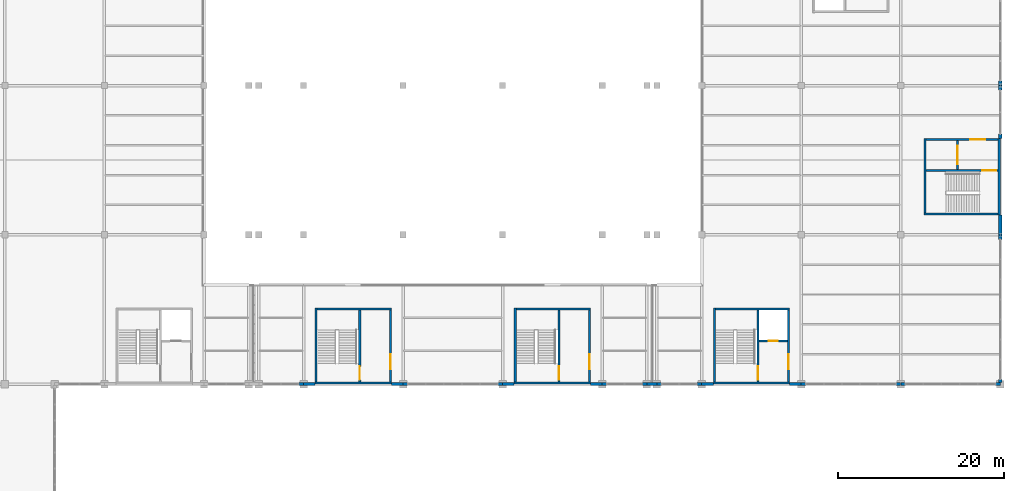
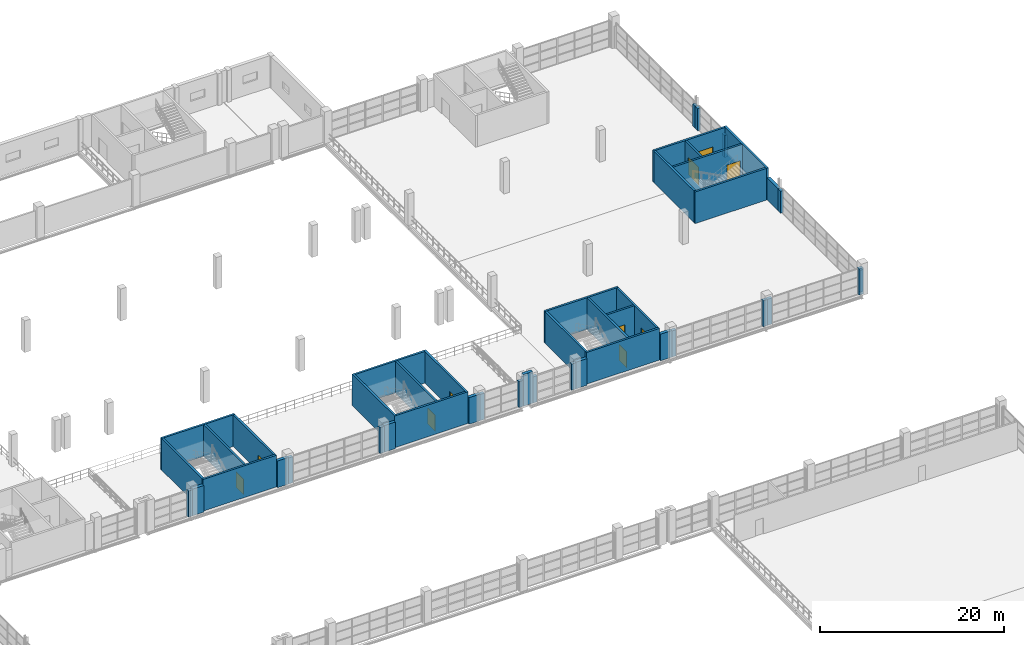
# One storey, part 147 of 158: 46 walls, 10 doors, 10 openings.
"""IFC4 building model written with IfcOpenShell, lengths in metres."""

from ifc_helpers import new_model, si_unit, direction, frame, frame_2d, origin, place, context, subcontext, project, spatial, rectangle, extrude, material, layer, layer_set, type_object, element, fill, save


model = new_model("IFC4")

# Units and contexts
model_context = context("Model", 3, precision=1e-05, world=origin(), true_north=direction((0.0, 1.0)))
body_context = subcontext(model_context, "Body", "Model", "MODEL_VIEW")
ifc_project = project(units=[si_unit("LENGTHUNIT", "METRE"), si_unit("AREAUNIT", "SQUARE_METRE"), si_unit("VOLUMEUNIT", "CUBIC_METRE"), si_unit("PLANEANGLEUNIT", "RADIAN"), si_unit("MASSUNIT", "GRAM", prefix="KILO")], contexts=[model_context])

# Site, building, storey
site_placement = place(None, origin())
site = spatial("IfcSite", under=ifc_project, at=site_placement, CompositionType="ELEMENT")
building_placement = place(site_placement, origin())
building = spatial("IfcBuilding", under=site, at=building_placement, Name="Zilviju Railside Exhibition Hall", CompositionType="ELEMENT")
storey_placement = place(building_placement, frame((0.0, 0.0, 4.199951171875)))
storey = spatial("IfcBuildingStorey", under=building, at=storey_placement, Name="L02", CompositionType="ELEMENT", Elevation=4.199951171875)

# Walls
ifc_material_1 = material(Name="Concrete C35/45", Category="concrete")
ifc_layer_1 = layer(ifc_material_1, 0.25)
ifc_layer_set_1 = layer_set([ifc_layer_1], Name="Concrete C35/45")
wall_type_1 = type_object("IfcWallType", Name="WL-CORE-250", PredefinedType="SHEAR", material=ifc_layer_set_1)
wall_1_placement = place(storey_placement, frame((133.52490234375, 84.0, 0.0), z_axis=(0.0, 0.0, 1.0), x_axis=(0.0, 1.0, 0.0)))
element("IfcWall", 1, at=wall_1_placement, inside=storey, type_object=wall_type_1, Name="Core C05 North Hall Court MidW Stairwell Outer Wall L02", PredefinedType="SHEAR", context=body_context, shape_type="SweptSolid", body=[
    extrude(rectangle(XDim=9.199951171875, YDim=0.25, at=frame_2d((4.60009765625, 0.0))), origin(), (0.0, 0.0, 1.0), 4.199951171875),
])
wall_2_placement = place(storey_placement, frame((133.39990234375, 93.074951171875, 0.0), z_axis=(0.0, 0.0, 1.0), x_axis=(1.0, 0.0, 0.0)))
element("IfcWall", 2, at=wall_2_placement, inside=storey, type_object=wall_type_1, Name="Core C05 North Hall Court MidW Core Rear Wall L02", PredefinedType="SHEAR", context=body_context, shape_type="SweptSolid", body=[
    extrude(rectangle(XDim=9.2001953125, YDim=0.25, at=frame_2d((4.60009765625, 0.0))), origin(), (0.0, 0.0, 1.0), 4.199951171875),
])

# Wall, opening, door
wall_3_placement = place(storey_placement, frame((142.47509765625, 84.0, 0.0), z_axis=(0.0, 0.0, 1.0), x_axis=(0.0, 1.0, 0.0)))
wall_3 = element("IfcWall", 3, at=wall_3_placement, inside=storey, type_object=wall_type_1, Name="Core C05 North Hall Court MidW Lobby Side Wall L02", PredefinedType="SHEAR", context=body_context, shape_type="SweptSolid", body=[
    extrude(rectangle(XDim=9.199951171875, YDim=0.25, at=frame_2d((4.60009765625, 0.0))), origin(), (0.0, 0.0, 1.0), 4.199951171875),
])
opening_1_placement = place(wall_3_placement, frame((1.800048828125, 0.0, 0.0)))
opening_1 = element("IfcOpeningElement", 4, at=opening_1_placement, cuts=wall_3, Name="Opening FD-02", PredefinedType="OPENING", context=body_context, shape_type="SweptSolid", body=[
    extrude(rectangle(XDim=1.800048828125, YDim=2.14990234375, at=frame_2d((0.89990234375, 1.074951171875))), frame((0.0, 0.135009765625, 0.0), z_axis=(0.0, -1.0, 0.0), x_axis=(1.0, 0.0, 0.0)), (0.0, 0.0, 1.0), 0.27001953125),
])
ifc_material_2 = material(Name="Self-closing glazed steel core lobby fire door EI 60", Category="steel")
door_type_1 = type_object("IfcDoorType", Name="DR-LOBBY-180x215", OperationType="NOTDEFINED", PredefinedType="DOOR", material=ifc_material_2)
door_1_placement = place(opening_1_placement, origin())
door_1 = element("IfcDoor", 5, at=door_1_placement, inside=storey, type_object=door_type_1, Name="Core C05 North Hall Court MidW Lobby Fire Door L02", OperationType="DOUBLE_DOOR_SINGLE_SWING", OverallHeight=2.14990234375, OverallWidth=1.800048828125, PredefinedType="DOOR", context=body_context, shape_type="SweptSolid", body=[
    extrude(rectangle(XDim=1.800048828125, YDim=2.14990234375, at=frame_2d((0.89990234375, 1.074951171875))), frame((0.0, 0.02490234375, 0.0), z_axis=(0.0, -1.0, 0.0), x_axis=(1.0, 0.0, 0.0)), (0.0, 0.0, 1.0), 0.050048828125),
])
fill(opening_1, door_1)

wall_4_placement = place(storey_placement, frame((138.77490234375, 84.25, 0.0), z_axis=(0.0, 0.0, 1.0), x_axis=(0.0, 1.0, 0.0)))
wall_4 = element("IfcWall", 6, at=wall_4_placement, inside=storey, type_object=wall_type_1, Name="Core C05 North Hall Court MidW Stairwell Partition Wall L02", PredefinedType="SHEAR", context=body_context, shape_type="SweptSolid", body=[
    extrude(rectangle(XDim=8.699951171875, YDim=0.25, at=frame_2d((4.35009765625, 0.0))), origin(), (0.0, 0.0, 1.0), 4.199951171875),
])
opening_2_placement = place(wall_4_placement, frame((0.25, 0.0, 0.0)))
opening_2 = element("IfcOpeningElement", 7, at=opening_2_placement, cuts=wall_4, Name="Opening FD-01", PredefinedType="OPENING", context=body_context, shape_type="SweptSolid", body=[
    extrude(rectangle(XDim=1.64990234375, YDim=2.10009765625, at=frame_2d((0.824951171875, 1.050048828125))), frame((0.0, 0.135009765625, 0.0), z_axis=(0.0, -1.0, 0.0), x_axis=(1.0, 0.0, 0.0)), (0.0, 0.0, 1.0), 0.27001953125),
])
ifc_material_3 = material(Name="Self-closing steel stair enclosure fire door EI 60", Category="steel")
door_type_2 = type_object("IfcDoorType", Name="DR-STAIR-165x210", OperationType="NOTDEFINED", PredefinedType="DOOR", material=ifc_material_3)
door_2_placement = place(opening_2_placement, origin())
door_2 = element("IfcDoor", 8, at=door_2_placement, inside=storey, type_object=door_type_2, Name="Core C05 North Hall Court MidW Protected Stair Door L02", OperationType="SINGLE_SWING_RIGHT", OverallHeight=2.10009765625, OverallWidth=1.64990234375, PredefinedType="DOOR", context=body_context, shape_type="SweptSolid", body=[
    extrude(rectangle(XDim=1.64990234375, YDim=2.10009765625, at=frame_2d((0.824951171875, 1.050048828125))), frame((0.0, 0.02490234375, 0.0), z_axis=(0.0, -1.0, 0.0), x_axis=(1.0, 0.0, 0.0)), (0.0, 0.0, 1.0), 0.050048828125),
])
fill(opening_2, door_2)

# Walls
wall_5_placement = place(storey_placement, frame((157.52490234375, 84.0, 0.0), z_axis=(0.0, 0.0, 1.0), x_axis=(0.0, 1.0, 0.0)))
element("IfcWall", 9, at=wall_5_placement, inside=storey, type_object=wall_type_1, Name="Core C06 North Hall Court MidE Stairwell Outer Wall L02", PredefinedType="SHEAR", context=body_context, shape_type="SweptSolid", body=[
    extrude(rectangle(XDim=9.199951171875, YDim=0.25, at=frame_2d((4.60009765625, 0.0))), origin(), (0.0, 0.0, 1.0), 4.199951171875),
])
wall_6_placement = place(storey_placement, frame((157.39990234375, 93.074951171875, 0.0), z_axis=(0.0, 0.0, 1.0), x_axis=(1.0, 0.0, 0.0)))
element("IfcWall", 10, at=wall_6_placement, inside=storey, type_object=wall_type_1, Name="Core C06 North Hall Court MidE Core Rear Wall L02", PredefinedType="SHEAR", context=body_context, shape_type="SweptSolid", body=[
    extrude(rectangle(XDim=9.2001953125, YDim=0.25, at=frame_2d((4.60009765625, 0.0))), origin(), (0.0, 0.0, 1.0), 4.199951171875),
])

# Wall, opening, door
wall_7_placement = place(storey_placement, frame((166.47509765625, 84.0, 0.0), z_axis=(0.0, 0.0, 1.0), x_axis=(0.0, 1.0, 0.0)))
wall_7 = element("IfcWall", 11, at=wall_7_placement, inside=storey, type_object=wall_type_1, Name="Core C06 North Hall Court MidE Lobby Side Wall L02", PredefinedType="SHEAR", context=body_context, shape_type="SweptSolid", body=[
    extrude(rectangle(XDim=9.199951171875, YDim=0.25, at=frame_2d((4.60009765625, 0.0))), origin(), (0.0, 0.0, 1.0), 4.199951171875),
])
opening_3_placement = place(wall_7_placement, frame((1.800048828125, 0.0, 0.0)))
opening_3 = element("IfcOpeningElement", 12, at=opening_3_placement, cuts=wall_7, Name="Opening FD-02", PredefinedType="OPENING", context=body_context, shape_type="SweptSolid", body=[
    extrude(rectangle(XDim=1.800048828125, YDim=2.14990234375, at=frame_2d((0.89990234375, 1.074951171875))), frame((0.0, 0.135009765625, 0.0), z_axis=(0.0, -1.0, 0.0), x_axis=(1.0, 0.0, 0.0)), (0.0, 0.0, 1.0), 0.27001953125),
])
door_3_placement = place(opening_3_placement, origin())
door_3 = element("IfcDoor", 13, at=door_3_placement, inside=storey, type_object=door_type_1, Name="Core C06 North Hall Court MidE Lobby Fire Door L02", OperationType="DOUBLE_DOOR_SINGLE_SWING", OverallHeight=2.14990234375, OverallWidth=1.800048828125, PredefinedType="DOOR", context=body_context, shape_type="SweptSolid", body=[
    extrude(rectangle(XDim=1.800048828125, YDim=2.14990234375, at=frame_2d((0.89990234375, 1.074951171875))), frame((0.0, 0.02490234375, 0.0), z_axis=(0.0, -1.0, 0.0), x_axis=(1.0, 0.0, 0.0)), (0.0, 0.0, 1.0), 0.050048828125),
])
fill(opening_3, door_3)

wall_8_placement = place(storey_placement, frame((162.77490234375, 84.25, 0.0), z_axis=(0.0, 0.0, 1.0), x_axis=(0.0, 1.0, 0.0)))
wall_8 = element("IfcWall", 14, at=wall_8_placement, inside=storey, type_object=wall_type_1, Name="Core C06 North Hall Court MidE Stairwell Partition Wall L02", PredefinedType="SHEAR", context=body_context, shape_type="SweptSolid", body=[
    extrude(rectangle(XDim=8.699951171875, YDim=0.25, at=frame_2d((4.35009765625, 0.0))), origin(), (0.0, 0.0, 1.0), 4.199951171875),
])
opening_4_placement = place(wall_8_placement, frame((0.25, 0.0, 0.0)))
opening_4 = element("IfcOpeningElement", 15, at=opening_4_placement, cuts=wall_8, Name="Opening FD-01", PredefinedType="OPENING", context=body_context, shape_type="SweptSolid", body=[
    extrude(rectangle(XDim=1.64990234375, YDim=2.10009765625, at=frame_2d((0.824951171875, 1.050048828125))), frame((0.0, 0.135009765625, 0.0), z_axis=(0.0, -1.0, 0.0), x_axis=(1.0, 0.0, 0.0)), (0.0, 0.0, 1.0), 0.27001953125),
])
door_4_placement = place(opening_4_placement, origin())
door_4 = element("IfcDoor", 16, at=door_4_placement, inside=storey, type_object=door_type_2, Name="Core C06 North Hall Court MidE Protected Stair Door L02", OperationType="SINGLE_SWING_LEFT", OverallHeight=2.10009765625, OverallWidth=1.64990234375, PredefinedType="DOOR", context=body_context, shape_type="SweptSolid", body=[
    extrude(rectangle(XDim=1.64990234375, YDim=2.10009765625, at=frame_2d((0.824951171875, 1.050048828125))), frame((0.0, 0.02490234375, 0.0), z_axis=(0.0, -1.0, 0.0), x_axis=(1.0, 0.0, 0.0)), (0.0, 0.0, 1.0), 0.050048828125),
])
fill(opening_4, door_4)

# Walls
wall_9_placement = place(storey_placement, frame((181.52490234375, 84.0, 0.0), z_axis=(0.0, 0.0, 1.0), x_axis=(0.0, 1.0, 0.0)))
element("IfcWall", 17, at=wall_9_placement, inside=storey, type_object=wall_type_1, Name="Core C07 North Hall Court East Stairwell Outer Wall L02", PredefinedType="SHEAR", context=body_context, shape_type="SweptSolid", body=[
    extrude(rectangle(XDim=9.199951171875, YDim=0.25, at=frame_2d((4.60009765625, 0.0))), origin(), (0.0, 0.0, 1.0), 4.199951171875),
])
wall_10_placement = place(storey_placement, frame((181.39990234375, 93.074951171875, 0.0), z_axis=(0.0, 0.0, 1.0), x_axis=(1.0, 0.0, 0.0)))
element("IfcWall", 18, at=wall_10_placement, inside=storey, type_object=wall_type_1, Name="Core C07 North Hall Court East Core Rear Wall L02", PredefinedType="SHEAR", context=body_context, shape_type="SweptSolid", body=[
    extrude(rectangle(XDim=9.2001953125, YDim=0.25, at=frame_2d((4.60009765625, 0.0))), origin(), (0.0, 0.0, 1.0), 4.199951171875),
])

# Wall, opening, door
wall_11_placement = place(storey_placement, frame((190.47509765625, 84.0, 0.0), z_axis=(0.0, 0.0, 1.0), x_axis=(0.0, 1.0, 0.0)))
wall_11 = element("IfcWall", 19, at=wall_11_placement, inside=storey, type_object=wall_type_1, Name="Core C07 North Hall Court East Lobby Side Wall L02", PredefinedType="SHEAR", context=body_context, shape_type="SweptSolid", body=[
    extrude(rectangle(XDim=9.199951171875, YDim=0.25, at=frame_2d((4.60009765625, 0.0))), origin(), (0.0, 0.0, 1.0), 4.199951171875),
])
opening_5_placement = place(wall_11_placement, frame((1.800048828125, 0.0, 0.0)))
opening_5 = element("IfcOpeningElement", 20, at=opening_5_placement, cuts=wall_11, Name="Opening FD-02", PredefinedType="OPENING", context=body_context, shape_type="SweptSolid", body=[
    extrude(rectangle(XDim=1.800048828125, YDim=2.14990234375, at=frame_2d((0.89990234375, 1.074951171875))), frame((0.0, 0.135009765625, 0.0), z_axis=(0.0, -1.0, 0.0), x_axis=(1.0, 0.0, 0.0)), (0.0, 0.0, 1.0), 0.27001953125),
])
door_5_placement = place(opening_5_placement, origin())
door_5 = element("IfcDoor", 21, at=door_5_placement, inside=storey, type_object=door_type_1, Name="Core C07 North Hall Court East Lobby Fire Door L02", OperationType="DOUBLE_DOOR_SINGLE_SWING", OverallHeight=2.14990234375, OverallWidth=1.800048828125, PredefinedType="DOOR", context=body_context, shape_type="SweptSolid", body=[
    extrude(rectangle(XDim=1.800048828125, YDim=2.14990234375, at=frame_2d((0.89990234375, 1.074951171875))), frame((0.0, 0.02490234375, 0.0), z_axis=(0.0, -1.0, 0.0), x_axis=(1.0, 0.0, 0.0)), (0.0, 0.0, 1.0), 0.050048828125),
])
fill(opening_5, door_5)

wall_12_placement = place(storey_placement, frame((186.77490234375, 84.25, 0.0), z_axis=(0.0, 0.0, 1.0), x_axis=(0.0, 1.0, 0.0)))
wall_12 = element("IfcWall", 22, at=wall_12_placement, inside=storey, type_object=wall_type_1, Name="Core C07 North Hall Court East Stairwell Partition Wall L02", PredefinedType="SHEAR", context=body_context, shape_type="SweptSolid", body=[
    extrude(rectangle(XDim=8.699951171875, YDim=0.25, at=frame_2d((4.35009765625, 0.0))), origin(), (0.0, 0.0, 1.0), 4.199951171875),
])
opening_6_placement = place(wall_12_placement, frame((0.25, 0.0, 0.0)))
opening_6 = element("IfcOpeningElement", 23, at=opening_6_placement, cuts=wall_12, Name="Opening FD-01", PredefinedType="OPENING", context=body_context, shape_type="SweptSolid", body=[
    extrude(rectangle(XDim=1.64990234375, YDim=2.10009765625, at=frame_2d((0.824951171875, 1.050048828125))), frame((0.0, 0.135009765625, 0.0), z_axis=(0.0, -1.0, 0.0), x_axis=(1.0, 0.0, 0.0)), (0.0, 0.0, 1.0), 0.27001953125),
])
door_6_placement = place(opening_6_placement, origin())
door_6 = element("IfcDoor", 24, at=door_6_placement, inside=storey, type_object=door_type_2, Name="Core C07 North Hall Court East Protected Stair Door L02", OperationType="SINGLE_SWING_LEFT", OverallHeight=2.10009765625, OverallWidth=1.64990234375, PredefinedType="DOOR", context=body_context, shape_type="SweptSolid", body=[
    extrude(rectangle(XDim=1.64990234375, YDim=2.10009765625, at=frame_2d((0.824951171875, 1.050048828125))), frame((0.0, 0.02490234375, 0.0), z_axis=(0.0, -1.0, 0.0), x_axis=(1.0, 0.0, 0.0)), (0.0, 0.0, 1.0), 0.050048828125),
])
fill(opening_6, door_6)

wall_13_placement = place(storey_placement, frame((186.89990234375, 89.175048828125, 0.0), z_axis=(0.0, 0.0, 1.0), x_axis=(1.0, 0.0, 0.0)))
wall_13 = element("IfcWall", 25, at=wall_13_placement, inside=storey, type_object=wall_type_1, Name="Core C07 North Hall Court East Lift Shaft Front Wall L02", PredefinedType="SHEAR", context=body_context, shape_type="SweptSolid", body=[
    extrude(rectangle(XDim=3.4501953125, YDim=0.25, at=frame_2d((1.72509765625, 0.0))), origin(), (0.0, 0.0, 1.0), 4.199951171875),
])
opening_7_placement = place(wall_13_placement, frame((1.175048828125, 0.0, 0.0)))
opening_7 = element("IfcOpeningElement", 26, at=opening_7_placement, cuts=wall_13, Name="Opening LD-01", PredefinedType="OPENING", context=body_context, shape_type="SweptSolid", body=[
    extrude(rectangle(XDim=1.10009765625, YDim=2.10009765625, at=frame_2d((0.550048828125, 1.050048828125))), frame((0.0, 0.135009765625, 0.0), z_axis=(0.0, -1.0, 0.0), x_axis=(1.0, 0.0, 0.0)), (0.0, 0.0, 1.0), 0.27001953125),
])
ifc_material_4 = material(Name="Passenger lift sliding landing door EI 60", Category="wood")
door_type_3 = type_object("IfcDoorType", Name="DR-LIFT-110x210", OperationType="NOTDEFINED", PredefinedType="DOOR", material=ifc_material_4)
door_7_placement = place(opening_7_placement, origin())
door_7 = element("IfcDoor", 27, at=door_7_placement, inside=storey, type_object=door_type_3, Name="Lift Landing Door LP-03 L02", OperationType="SLIDING_TO_LEFT", OverallHeight=2.10009765625, OverallWidth=1.10009765625, PredefinedType="DOOR", context=body_context, shape_type="SweptSolid", body=[
    extrude(rectangle(XDim=1.10009765625, YDim=2.10009765625, at=frame_2d((0.550048828125, 1.050048828125))), frame((0.0, 0.02490234375, 0.0), z_axis=(0.0, -1.0, 0.0), x_axis=(1.0, 0.0, 0.0)), (0.0, 0.0, 1.0), 0.050048828125),
])
fill(opening_7, door_7)

# Walls
wall_14_placement = place(storey_placement, frame((216.0, 104.52490234375, 0.0), z_axis=(0.0, 0.0, 1.0), x_axis=(-1.0, 0.0, 0.0)))
element("IfcWall", 28, at=wall_14_placement, inside=storey, type_object=wall_type_1, Name="Core C09 North Hall Gable East Stairwell Outer Wall L02", PredefinedType="SHEAR", context=body_context, shape_type="SweptSolid", body=[
    extrude(rectangle(XDim=9.199951171875, YDim=0.25, at=frame_2d((4.60009765625, 0.0))), origin(), (0.0, 0.0, 1.0), 4.199951171875),
])
wall_15_placement = place(storey_placement, frame((206.925048828125, 104.39990234375, 0.0), z_axis=(0.0, 0.0, 1.0), x_axis=(0.0, 1.0, 0.0)))
element("IfcWall", 29, at=wall_15_placement, inside=storey, type_object=wall_type_1, Name="Core C09 North Hall Gable East Core Rear Wall L02", PredefinedType="SHEAR", context=body_context, shape_type="SweptSolid", body=[
    extrude(rectangle(XDim=9.2001953125, YDim=0.25, at=frame_2d((4.60009765625, 0.0))), origin(), (0.0, 0.0, 1.0), 4.199951171875),
])

# Wall, opening, door
wall_16_placement = place(storey_placement, frame((216.0, 113.47509765625, 0.0), z_axis=(0.0, 0.0, 1.0), x_axis=(-1.0, 0.0, 0.0)))
wall_16 = element("IfcWall", 30, at=wall_16_placement, inside=storey, type_object=wall_type_1, Name="Core C09 North Hall Gable East Lobby Side Wall L02", PredefinedType="SHEAR", context=body_context, shape_type="SweptSolid", body=[
    extrude(rectangle(XDim=9.199951171875, YDim=0.25, at=frame_2d((4.60009765625, 0.0))), origin(), (0.0, 0.0, 1.0), 4.199951171875),
])
opening_8_placement = place(wall_16_placement, frame((1.800048828125, 0.0, 0.0)))
opening_8 = element("IfcOpeningElement", 31, at=opening_8_placement, cuts=wall_16, Name="Opening FD-02", PredefinedType="OPENING", context=body_context, shape_type="SweptSolid", body=[
    extrude(rectangle(XDim=1.800048828125, YDim=2.14990234375, at=frame_2d((0.89990234375, 1.074951171875))), frame((0.0, 0.135009765625, 0.0), z_axis=(0.0, -1.0, 0.0), x_axis=(1.0, 0.0, 0.0)), (0.0, 0.0, 1.0), 0.27001953125),
])
door_8_placement = place(opening_8_placement, origin())
door_8 = element("IfcDoor", 32, at=door_8_placement, inside=storey, type_object=door_type_1, Name="Core C09 North Hall Gable East Lobby Fire Door L02", OperationType="DOUBLE_DOOR_SINGLE_SWING", OverallHeight=2.14990234375, OverallWidth=1.800048828125, PredefinedType="DOOR", context=body_context, shape_type="SweptSolid", body=[
    extrude(rectangle(XDim=1.800048828125, YDim=2.14990234375, at=frame_2d((0.89990234375, 1.074951171875))), frame((0.0, 0.02490234375, 0.0), z_axis=(0.0, -1.0, 0.0), x_axis=(1.0, 0.0, 0.0)), (0.0, 0.0, 1.0), 0.050048828125),
])
fill(opening_8, door_8)

wall_17_placement = place(storey_placement, frame((215.75, 109.77490234375, 0.0), z_axis=(0.0, 0.0, 1.0), x_axis=(-1.0, 0.0, 0.0)))
wall_17 = element("IfcWall", 33, at=wall_17_placement, inside=storey, type_object=wall_type_1, Name="Core C09 North Hall Gable East Stairwell Partition Wall L02", PredefinedType="SHEAR", context=body_context, shape_type="SweptSolid", body=[
    extrude(rectangle(XDim=8.699951171875, YDim=0.25, at=frame_2d((4.35009765625, 0.0))), origin(), (0.0, 0.0, 1.0), 4.199951171875),
])
opening_9_placement = place(wall_17_placement, frame((0.25, 0.0, 0.0)))
opening_9 = element("IfcOpeningElement", 34, at=opening_9_placement, cuts=wall_17, Name="Opening FD-01", PredefinedType="OPENING", context=body_context, shape_type="SweptSolid", body=[
    extrude(rectangle(XDim=1.64990234375, YDim=2.10009765625, at=frame_2d((0.824951171875, 1.050048828125))), frame((0.0, 0.135009765625, 0.0), z_axis=(0.0, -1.0, 0.0), x_axis=(1.0, 0.0, 0.0)), (0.0, 0.0, 1.0), 0.27001953125),
])
door_9_placement = place(opening_9_placement, origin())
door_9 = element("IfcDoor", 35, at=door_9_placement, inside=storey, type_object=door_type_2, Name="Core C09 North Hall Gable East Protected Stair Door L02", OperationType="SINGLE_SWING_LEFT", OverallHeight=2.10009765625, OverallWidth=1.64990234375, PredefinedType="DOOR", context=body_context, shape_type="SweptSolid", body=[
    extrude(rectangle(XDim=1.64990234375, YDim=2.10009765625, at=frame_2d((0.824951171875, 1.050048828125))), frame((0.0, 0.02490234375, 0.0), z_axis=(0.0, -1.0, 0.0), x_axis=(1.0, 0.0, 0.0)), (0.0, 0.0, 1.0), 0.050048828125),
])
fill(opening_9, door_9)

wall_18_placement = place(storey_placement, frame((210.824951171875, 109.89990234375, 0.0), z_axis=(0.0, 0.0, 1.0), x_axis=(0.0, 1.0, 0.0)))
wall_18 = element("IfcWall", 36, at=wall_18_placement, inside=storey, type_object=wall_type_1, Name="Core C09 North Hall Gable East Lift Shaft Front Wall L02", PredefinedType="SHEAR", context=body_context, shape_type="SweptSolid", body=[
    extrude(rectangle(XDim=3.4501953125, YDim=0.25, at=frame_2d((1.72509765625, 0.0))), origin(), (0.0, 0.0, 1.0), 4.199951171875),
])
opening_10_placement = place(wall_18_placement, frame((0.625, 0.0, 0.0)))
opening_10 = element("IfcOpeningElement", 37, at=opening_10_placement, cuts=wall_18, Name="Opening LD-02", PredefinedType="OPENING", context=body_context, shape_type="SweptSolid", body=[
    extrude(rectangle(XDim=2.199951171875, YDim=2.35009765625, at=frame_2d((1.10009765625, 1.175048828125))), frame((0.0, 0.135009765625, 0.0), z_axis=(0.0, -1.0, 0.0), x_axis=(1.0, 0.0, 0.0)), (0.0, 0.0, 1.0), 0.27001953125),
])
ifc_material_5 = material(Name="Heavy freight lift sliding landing door EI 60", Category="wood")
door_type_4 = type_object("IfcDoorType", Name="DR-LIFT-220x235", OperationType="NOTDEFINED", PredefinedType="DOOR", material=ifc_material_5)
door_10_placement = place(opening_10_placement, origin())
door_10 = element("IfcDoor", 38, at=door_10_placement, inside=storey, type_object=door_type_4, Name="Lift Landing Door LF-03 L02", OperationType="SLIDING_TO_LEFT", OverallHeight=2.35009765625, OverallWidth=2.199951171875, PredefinedType="DOOR", context=body_context, shape_type="SweptSolid", body=[
    extrude(rectangle(XDim=2.199951171875, YDim=2.35009765625, at=frame_2d((1.10009765625, 1.175048828125))), frame((0.0, 0.02490234375, 0.0), z_axis=(0.0, -1.0, 0.0), x_axis=(1.0, 0.0, 0.0)), (0.0, 0.0, 1.0), 0.050048828125),
])
fill(opening_10, door_10)

# Walls
ifc_material_6 = material(Name="Concrete C40/50", Category="concrete")
ifc_layer_2 = layer(ifc_material_6, 0.25)
ifc_layer_set_2 = layer_set([ifc_layer_2], Name="Concrete C40/50")
wall_type_2 = type_object("IfcWallType", Name="WL-CORE-300", PredefinedType="SHEAR", material=ifc_layer_set_2)
for number, where, z_axis, x_axis, name in (
    (39, (142.60009765625, 84.125, 0.0), (0.0, 0.0, 1.0), (-1.0, 0.0, 0.0), "Core C05 North Hall Court MidW Exterior Core Wall L02"),
    (40, (166.60009765625, 84.125, 0.0), (0.0, 0.0, 1.0), (-1.0, 0.0, 0.0), "Core C06 North Hall Court MidE Exterior Core Wall L02"),
    (41, (190.60009765625, 84.125, 0.0), (0.0, 0.0, 1.0), (-1.0, 0.0, 0.0), "Core C07 North Hall Court East Exterior Core Wall L02"),
    (42, (215.875, 113.60009765625, 0.0), (0.0, 0.0, 1.0), (0.0, -1.0, 0.0), "Core C09 North Hall Gable East Exterior Core Wall L02"),
):
    element("IfcWall", number, at=place(storey_placement, frame(where, z_axis=z_axis, x_axis=x_axis)), inside=storey, type_object=wall_type_2, Name=name, PredefinedType="SHEAR", context=body_context, shape_type="SweptSolid", body=[
        extrude(rectangle(XDim=9.2001953125, YDim=0.25, at=frame_2d((4.60009765625, 0.0))), origin(), (0.0, 0.0, 1.0), 4.199951171875),
    ])
ifc_material_7 = material(Name="Insulated cream-brick upper facade wall", Category="masonry")
ifc_layer_3 = layer(ifc_material_7, 0.3798828125)
ifc_layer_set_3 = layer_set([ifc_layer_3], Name="Insulated cream-brick upper facade wall")
wall_type_3 = type_object("IfcWallType", Name="WL-EXT-380", PredefinedType="SOLIDWALL", material=ifc_layer_set_3)
wall_19_placement = place(storey_placement, frame((131.998046875, 84.0, 0.0), z_axis=(0.0, 0.0, 1.0), x_axis=(-1.0, 0.0, 0.0)))
element("IfcWall", 43, at=wall_19_placement, inside=storey, type_object=wall_type_3, Name="Curtain-Wall Jamb Closure Pier L02 0193", PredefinedType="SOLIDWALL", context=body_context, shape_type="SweptSolid", body=[
    extrude(rectangle(XDim=0.548095703125, YDim=0.3798828125, at=frame_2d((0.27392578125, 0.0))), origin(), (0.0, 0.0, 1.0), 3.449951171875),
])
for number, where, z_axis, x_axis, name in (
    (44, (133.39990234375, 84.0, 0.0), (0.0, 0.0, 1.0), (-1.0, 0.0, 0.0), "Exterior Facade Wall L02 South 0194"),
    (45, (144.0, 84.0, 0.0), (0.0, 0.0, 1.0), (-1.0, 0.0, 0.0), "Exterior Facade Wall L02 South 0195"),
):
    element("IfcWall", number, at=place(storey_placement, frame(where, z_axis=z_axis, x_axis=x_axis)), inside=storey, type_object=wall_type_3, Name=name, PredefinedType="SOLIDWALL", context=body_context, shape_type="SweptSolid", body=[
        extrude(rectangle(XDim=1.39990234375, YDim=0.3798828125, at=frame_2d((0.699951171875, 0.0))), origin(), (0.0, 0.0, 1.0), 3.530029296875),
    ])
for number, where, z_axis, x_axis, name in (
    (46, (144.550048828125, 84.0, 0.0), (0.0, 0.0, 1.0), (-1.0, 0.0, 0.0), "Curtain-Wall Jamb Closure Pier L02 0196"),
    (47, (155.998046875, 84.0, 0.0), (0.0, 0.0, 1.0), (-1.0, 0.0, 0.0), "Curtain-Wall Jamb Closure Pier L02 0197"),
):
    element("IfcWall", number, at=place(storey_placement, frame(where, z_axis=z_axis, x_axis=x_axis)), inside=storey, type_object=wall_type_3, Name=name, PredefinedType="SOLIDWALL", context=body_context, shape_type="SweptSolid", body=[
        extrude(rectangle(XDim=0.548095703125, YDim=0.3798828125, at=frame_2d((0.27392578125, 0.0))), origin(), (0.0, 0.0, 1.0), 3.449951171875),
    ])
for number, where, z_axis, x_axis, name in (
    (48, (157.39990234375, 84.0, 0.0), (0.0, 0.0, 1.0), (-1.0, 0.0, 0.0), "Exterior Facade Wall L02 South 0198"),
    (49, (168.0, 84.0, 0.0), (0.0, 0.0, 1.0), (-1.0, 0.0, 0.0), "Exterior Facade Wall L02 South 0199"),
):
    element("IfcWall", number, at=place(storey_placement, frame(where, z_axis=z_axis, x_axis=x_axis)), inside=storey, type_object=wall_type_3, Name=name, PredefinedType="SOLIDWALL", context=body_context, shape_type="SweptSolid", body=[
        extrude(rectangle(XDim=1.39990234375, YDim=0.3798828125, at=frame_2d((0.699951171875, 0.0))), origin(), (0.0, 0.0, 1.0), 3.530029296875),
    ])
wall_20_placement = place(storey_placement, frame((168.550048828125, 84.0, 0.0), z_axis=(0.0, 0.0, 1.0), x_axis=(-1.0, 0.0, 0.0)))
element("IfcWall", 50, at=wall_20_placement, inside=storey, type_object=wall_type_3, Name="Curtain-Wall Jamb Closure Pier L02 0200", PredefinedType="SOLIDWALL", context=body_context, shape_type="SweptSolid", body=[
    extrude(rectangle(XDim=0.548095703125, YDim=0.3798828125, at=frame_2d((0.27392578125, 0.0))), origin(), (0.0, 0.0, 1.0), 3.449951171875),
])
for number, where, z_axis, x_axis, name in (
    (51, (173.39794921875, 84.0, 0.0), (0.0, 0.0, 1.0), (-1.0, 0.0, 0.0), "Curtain-Wall Jamb Closure Pier L02 0201"),
    (52, (175.14990234375, 84.0, 0.0), (0.0, 0.0, 1.0), (-1.0, 0.0, 0.0), "Curtain-Wall Jamb Closure Pier L02 0202"),
):
    element("IfcWall", number, at=place(storey_placement, frame(where, z_axis=z_axis, x_axis=x_axis)), inside=storey, type_object=wall_type_3, Name=name, PredefinedType="SOLIDWALL", context=body_context, shape_type="SweptSolid", body=[
        extrude(rectangle(XDim=0.5478515625, YDim=0.3798828125, at=frame_2d((0.27392578125, 0.0))), origin(), (0.0, 0.0, 1.0), 3.449951171875),
    ])
wall_21_placement = place(storey_placement, frame((179.998046875, 84.0, 0.0), z_axis=(0.0, 0.0, 1.0), x_axis=(-1.0, 0.0, 0.0)))
element("IfcWall", 53, at=wall_21_placement, inside=storey, type_object=wall_type_3, Name="Curtain-Wall Jamb Closure Pier L02 0203", PredefinedType="SOLIDWALL", context=body_context, shape_type="SweptSolid", body=[
    extrude(rectangle(XDim=0.548095703125, YDim=0.3798828125, at=frame_2d((0.27392578125, 0.0))), origin(), (0.0, 0.0, 1.0), 3.449951171875),
])
for number, where, z_axis, x_axis, name in (
    (54, (181.39990234375, 84.0, 0.0), (0.0, 0.0, 1.0), (-1.0, 0.0, 0.0), "Exterior Facade Wall L02 South 0204"),
    (55, (192.0, 84.0, 0.0), (0.0, 0.0, 1.0), (-1.0, 0.0, 0.0), "Exterior Facade Wall L02 South 0205"),
):
    element("IfcWall", number, at=place(storey_placement, frame(where, z_axis=z_axis, x_axis=x_axis)), inside=storey, type_object=wall_type_3, Name=name, PredefinedType="SOLIDWALL", context=body_context, shape_type="SweptSolid", body=[
        extrude(rectangle(XDim=1.39990234375, YDim=0.3798828125, at=frame_2d((0.699951171875, 0.0))), origin(), (0.0, 0.0, 1.0), 3.530029296875),
    ])
wall_22_placement = place(storey_placement, frame((192.550048828125, 84.0, 0.0), z_axis=(0.0, 0.0, 1.0), x_axis=(-1.0, 0.0, 0.0)))
element("IfcWall", 56, at=wall_22_placement, inside=storey, type_object=wall_type_3, Name="Curtain-Wall Jamb Closure Pier L02 0206", PredefinedType="SOLIDWALL", context=body_context, shape_type="SweptSolid", body=[
    extrude(rectangle(XDim=0.548095703125, YDim=0.3798828125, at=frame_2d((0.27392578125, 0.0))), origin(), (0.0, 0.0, 1.0), 3.449951171875),
])
wall_23_placement = place(storey_placement, frame((204.0, 84.0, 0.0), z_axis=(0.0, 0.0, 1.0), x_axis=(-1.0, 0.0, 0.0)))
element("IfcWall", 57, at=wall_23_placement, inside=storey, type_object=wall_type_3, Name="Curtain-Wall Jamb Closure Pier L02 0207", PredefinedType="SOLIDWALL", context=body_context, shape_type="SweptSolid", body=[
    extrude(rectangle(XDim=0.550048828125, YDim=0.3798828125, at=frame_2d((0.27490234375, 0.0))), origin(), (0.0, 0.0, 1.0), 3.449951171875),
])
wall_24_placement = place(storey_placement, frame((204.550048828125, 84.0, 0.0), z_axis=(0.0, 0.0, 1.0), x_axis=(-1.0, 0.0, 0.0)))
element("IfcWall", 58, at=wall_24_placement, inside=storey, type_object=wall_type_3, Name="Curtain-Wall Jamb Closure Pier L02 0208", PredefinedType="SOLIDWALL", context=body_context, shape_type="SweptSolid", body=[
    extrude(rectangle(XDim=0.548095703125, YDim=0.3798828125, at=frame_2d((0.27392578125, 0.0))), origin(), (0.0, 0.0, 1.0), 3.449951171875),
])
wall_25_placement = place(storey_placement, frame((216.0, 84.0, 0.0), z_axis=(0.0, 0.0, 1.0), x_axis=(-1.0, 0.0, 0.0)))
element("IfcWall", 59, at=wall_25_placement, inside=storey, type_object=wall_type_3, Name="Curtain-Wall Jamb Closure Pier L02 0209", PredefinedType="SOLIDWALL", context=body_context, shape_type="SweptSolid", body=[
    extrude(rectangle(XDim=0.550048828125, YDim=0.3798828125, at=frame_2d((0.27490234375, 0.0))), origin(), (0.0, 0.0, 1.0), 3.449951171875),
])
wall_26_placement = place(storey_placement, frame((216.0, 84.550048828125, 0.0), z_axis=(0.0, 0.0, 1.0), x_axis=(0.0, -1.0, 0.0)))
element("IfcWall", 60, at=wall_26_placement, inside=storey, type_object=wall_type_3, Name="Curtain-Wall Jamb Closure Pier L02 0216", PredefinedType="SOLIDWALL", context=body_context, shape_type="SweptSolid", body=[
    extrude(rectangle(XDim=0.358154296875, YDim=0.3798828125, at=frame_2d((0.17919921875, 0.0))), origin(), (0.0, 0.0, 1.0), 2.920166015625),
])
wall_27_placement = place(storey_placement, frame((216.0, 101.998046875, 0.0), z_axis=(0.0, 0.0, 1.0), x_axis=(0.0, -1.0, 0.0)))
element("IfcWall", 61, at=wall_27_placement, inside=storey, type_object=wall_type_3, Name="Curtain-Wall Jamb Closure Pier L02 0217", PredefinedType="SOLIDWALL", context=body_context, shape_type="SweptSolid", body=[
    extrude(rectangle(XDim=0.548095703125, YDim=0.3798828125, at=frame_2d((0.27392578125, 0.0))), origin(), (0.0, 0.0, 1.0), 2.920166015625),
])
wall_28_placement = place(storey_placement, frame((216.0, 104.39990234375, 0.0), z_axis=(0.0, 0.0, 1.0), x_axis=(0.0, -1.0, 0.0)))
element("IfcWall", 62, at=wall_28_placement, inside=storey, type_object=wall_type_3, Name="Exterior Facade Wall L02 East 0218", PredefinedType="SOLIDWALL", context=body_context, shape_type="SweptSolid", body=[
    extrude(rectangle(XDim=2.39990234375, YDim=0.3798828125, at=frame_2d((1.199951171875, 0.0))), origin(), (0.0, 0.0, 1.0), 2.920166015625),
])
wall_29_placement = place(storey_placement, frame((216.0, 114.14990234375, 0.0), z_axis=(0.0, 0.0, 1.0), x_axis=(0.0, -1.0, 0.0)))
element("IfcWall", 63, at=wall_29_placement, inside=storey, type_object=wall_type_3, Name="Curtain-Wall Jamb Closure Pier L02 0219", PredefinedType="SOLIDWALL", context=body_context, shape_type="SweptSolid", body=[
    extrude(rectangle(XDim=0.5478515625, YDim=0.3798828125, at=frame_2d((0.27392578125, 0.0))), origin(), (0.0, 0.0, 1.0), 2.920166015625),
])
wall_30_placement = place(storey_placement, frame((216.0, 120.0, 0.0), z_axis=(0.0, 0.0, 1.0), x_axis=(0.0, -1.0, 0.0)))
element("IfcWall", 64, at=wall_30_placement, inside=storey, type_object=wall_type_3, Name="Curtain-Wall Jamb Closure Pier L02 0220", PredefinedType="SOLIDWALL", context=body_context, shape_type="SweptSolid", body=[
    extrude(rectangle(XDim=0.550048828125, YDim=0.3798828125, at=frame_2d((0.27490234375, 0.0))), origin(), (0.0, 0.0, 1.0), 2.920166015625),
])
wall_31_placement = place(storey_placement, frame((216.0, 120.550048828125, 0.0), z_axis=(0.0, 0.0, 1.0), x_axis=(0.0, -1.0, 0.0)))
element("IfcWall", 65, at=wall_31_placement, inside=storey, type_object=wall_type_3, Name="Curtain-Wall Jamb Closure Pier L02 0221", PredefinedType="SOLIDWALL", context=body_context, shape_type="SweptSolid", body=[
    extrude(rectangle(XDim=0.548095703125, YDim=0.3798828125, at=frame_2d((0.27392578125, 0.0))), origin(), (0.0, 0.0, 1.0), 2.920166015625),
])
wall_32_placement = place(storey_placement, frame((174.60009765625, 84.0, 0.0), z_axis=(0.0, 0.0, 1.0), x_axis=(-1.0, 0.0, 0.0)))
element("IfcWall", 66, at=wall_32_placement, inside=storey, type_object=wall_type_3, Name="Exterior Facade Wall L02 South 0605", PredefinedType="SOLIDWALL", context=body_context, shape_type="SweptSolid", body=[
    extrude(rectangle(XDim=1.2001953125, YDim=0.3798828125, at=frame_2d((0.60009765625, 0.0))), origin(), (0.0, 0.0, 1.0), 4.199951171875),
])

save(model, "model.ifc")
